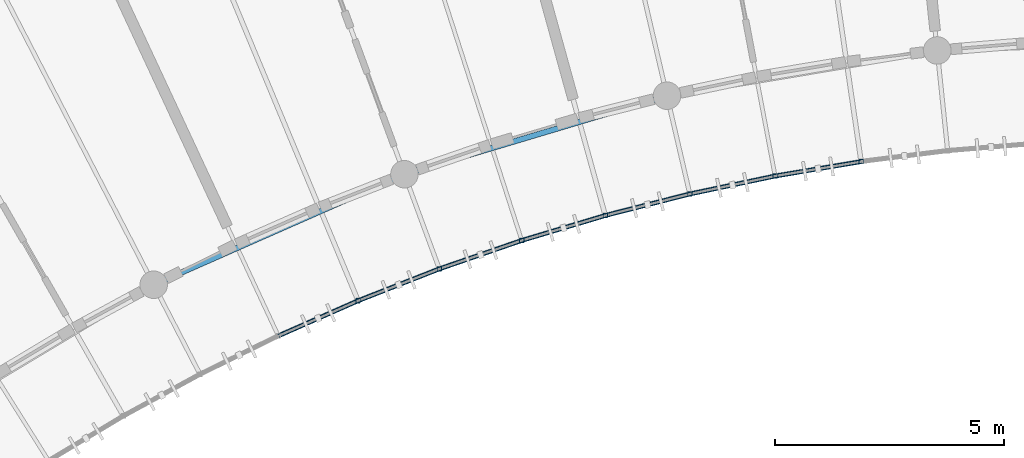
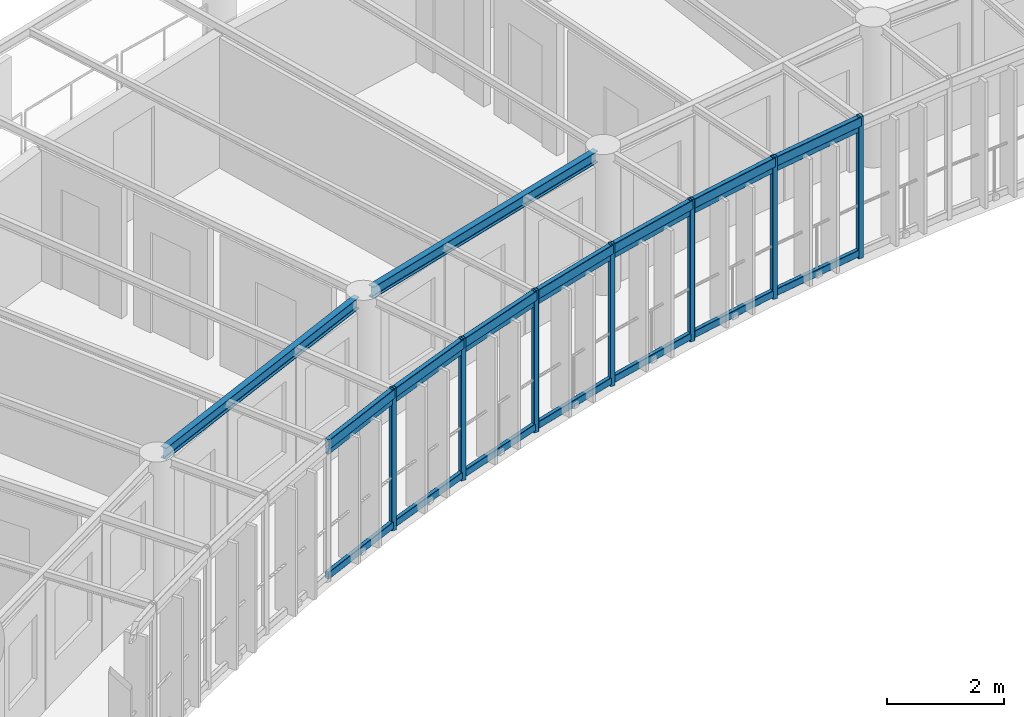
# One storey, part 28 of 101: 21 members, 9 beams.
"""IFC4 building model written with IfcOpenShell, lengths in metres."""

from ifc_helpers import new_model, si_unit, direction, frame, origin, origin_2d, place, context, subcontext, project, spatial, hollow_rectangle, i_section, extrude, material, material_profile, profile_set, type_object, element, save


model = new_model("IFC4")

# Units and contexts
model_context = context("Model", 3, precision=1e-05, world=origin(), true_north=direction((0.0, 1.0)))
body_context = subcontext(model_context, "Body", "Model", "MODEL_VIEW")
ifc_project = project(units=[si_unit("LENGTHUNIT", "METRE"), si_unit("AREAUNIT", "SQUARE_METRE"), si_unit("VOLUMEUNIT", "CUBIC_METRE"), si_unit("PLANEANGLEUNIT", "RADIAN"), si_unit("MASSUNIT", "GRAM", prefix="KILO"), si_unit("POWERUNIT", "WATT"), si_unit("THERMODYNAMICTEMPERATUREUNIT", "KELVIN")], contexts=[model_context])

# Site, building, storey
site_placement = place(None, origin())
site = spatial("IfcSite", under=ifc_project, at=site_placement, CompositionType="ELEMENT")
building_placement = place(site_placement, origin())
building = spatial("IfcBuilding", under=site, at=building_placement, Name="Ruvembo Vaulted Housing Court", CompositionType="ELEMENT")
storey_placement = place(building_placement, frame((0.0, 0.0, 17.300048828125)))
storey = spatial("IfcBuildingStorey", under=building, at=storey_placement, Name="L05", CompositionType="ELEMENT", Elevation=17.300048828125)

# Beams
ifc_material = material(Name="Steel S355J2", Category="steel")
ifc_material_profile_1 = material_profile(ifc_material, i_section(OverallWidth=0.1201171875, OverallDepth=0.239990234375, WebThickness=0.006103515625, FlangeThickness=0.009765625, FilletRadius=0.014892578125, at=origin_2d()), Name="IPE 240")
ifc_profile_set_1 = profile_set([ifc_material_profile_1], Name="Steel S355J2")
beam_type_1 = type_object("IfcBeamType", Name="BM-ST-IPE240", PredefinedType="BEAM", material=ifc_profile_set_1)
for number, where, z_axis, x_axis, name in (
    (1, (95.12060546875, 92.71044921875, 2.81396484375), (0.915067075534, 0.403301682706, 0.0), (-0.403301682706, 0.915067075534, 0.0), "Scoop SC3 L05 Chord Girder F3"),
    (2, (100.594970703125, 95.097412109375, 2.81396484375), (0.958081777403, 0.28649486524, 0.0), (-0.28649486524, 0.958081777403, 0.0), "Scoop SC3 L05 Chord Girder F6"),
):
    element("IfcBeam", number, at=place(storey_placement, frame(where, z_axis=z_axis, x_axis=x_axis)), inside=storey, type_object=beam_type_1, Name=name, PredefinedType="BEAM", context=body_context, shape_type="SweptSolid", body=[
        extrude(i_section(OverallWidth=0.1201171875, OverallDepth=0.239990234375, WebThickness=0.006103515625, FlangeThickness=0.009765625, FilletRadius=0.014892578125, at=origin_2d()), origin(), (0.0, 0.0, 1.0), 5.593505859375),
    ])
ifc_material_profile_2 = material_profile(ifc_material, hollow_rectangle(XDim=0.10009765625, YDim=0.199951171875, WallThickness=0.008056640625, InnerFilletRadius=0.008056640625, OuterFilletRadius=0.01611328125, at=origin_2d()), Name="RHS 200x100x8")
ifc_profile_set_2 = profile_set([ifc_material_profile_2], Name="Steel S355J2")
beam_type_2 = type_object("IfcBeamType", Name="BM-ST-RHS200", PredefinedType="SPANDREL", material=ifc_profile_set_2)
for number, where, z_axis, x_axis, name in (
    (3, (97.663818359375, 91.51806640625, 2.83203125), (0.91507815309, 0.403276547467, 0.0), (-0.403276547467, 0.91507815309, 0.0), "Scoop SC3 L05 Balcony Edge Spandrel 4"),
    (4, (99.4033203125, 92.28466796875, 2.83203125), (0.931005720133, 0.365004587752, 0.0), (-0.365004587752, 0.931005720133, 0.0), "Scoop SC3 L05 Balcony Edge Spandrel 5"),
):
    element("IfcBeam", number, at=place(storey_placement, frame(where, z_axis=z_axis, x_axis=x_axis)), inside=storey, type_object=beam_type_2, Name=name, PredefinedType="SPANDREL", context=body_context, shape_type="SweptSolid", body=[
        extrude(hollow_rectangle(XDim=0.10009765625, YDim=0.199951171875, WallThickness=0.008056640625, InnerFilletRadius=0.008056640625, OuterFilletRadius=0.01611328125, at=origin_2d()), origin(), (0.0, 0.0, 1.0), 1.90087890625),
    ])
beam_1_placement = place(storey_placement, frame((101.173095703125, 92.978515625, 2.83203125), z_axis=(0.945357969834, 0.326034214264, 0.0), x_axis=(-0.326034214264, 0.945357969834, 0.0)))
element("IfcBeam", 5, at=beam_1_placement, inside=storey, type_object=beam_type_2, Name="Scoop SC3 L05 Balcony Edge Spandrel 6", PredefinedType="SPANDREL", context=body_context, shape_type="SweptSolid", body=[
    extrude(hollow_rectangle(XDim=0.10009765625, YDim=0.199951171875, WallThickness=0.008056640625, InnerFilletRadius=0.008056640625, OuterFilletRadius=0.01611328125, at=origin_2d()), origin(), (0.0, 0.0, 1.0), 1.9013671875),
])
for number, where, z_axis, x_axis, name in (
    (6, (102.970458984375, 93.598388671875, 2.83203125), (0.958108609181, 0.286405120439, 0.0), (-0.286405120439, 0.958108609181, 0.0), "Scoop SC3 L05 Balcony Edge Spandrel 7"),
    (7, (104.791748046875, 94.142822265625, 2.83203125), (0.969121730429, 0.246582788553, 0.0), (-0.246582788553, 0.969121730429, 0.0), "Scoop SC3 L05 Balcony Edge Spandrel 8"),
):
    element("IfcBeam", number, at=place(storey_placement, frame(where, z_axis=z_axis, x_axis=x_axis)), inside=storey, type_object=beam_type_2, Name=name, PredefinedType="SPANDREL", context=body_context, shape_type="SweptSolid", body=[
        extrude(hollow_rectangle(XDim=0.10009765625, YDim=0.199951171875, WallThickness=0.008056640625, InnerFilletRadius=0.008056640625, OuterFilletRadius=0.01611328125, at=origin_2d()), origin(), (0.0, 0.0, 1.0), 1.90087890625),
    ])
beam_2_placement = place(storey_placement, frame((106.634033203125, 94.611572265625, 2.83203125), z_axis=(0.978529342624, 0.206107558387, 0.0), x_axis=(-0.206107558387, 0.978529342624, 0.0)))
element("IfcBeam", 8, at=beam_2_placement, inside=storey, type_object=beam_type_2, Name="Scoop SC3 L05 Balcony Edge Spandrel 9", PredefinedType="SPANDREL", context=body_context, shape_type="SweptSolid", body=[
    extrude(hollow_rectangle(XDim=0.10009765625, YDim=0.199951171875, WallThickness=0.008056640625, InnerFilletRadius=0.008056640625, OuterFilletRadius=0.01611328125, at=origin_2d()), origin(), (0.0, 0.0, 1.0), 1.901123046875),
])
beam_3_placement = place(storey_placement, frame((108.494384765625, 95.00341796875, 2.83203125), z_axis=(0.986265186139, 0.165169557153, 0.0), x_axis=(-0.165169557153, 0.986265186139, 0.0)))
element("IfcBeam", 9, at=beam_3_placement, inside=storey, type_object=beam_type_2, Name="Scoop SC3 L05 Balcony Edge Spandrel 10", PredefinedType="SPANDREL", context=body_context, shape_type="SweptSolid", body=[
    extrude(hollow_rectangle(XDim=0.10009765625, YDim=0.199951171875, WallThickness=0.008056640625, InnerFilletRadius=0.008056640625, OuterFilletRadius=0.01611328125, at=origin_2d()), origin(), (0.0, 0.0, 1.0), 1.90087890625),
])

# Members
ifc_material_profile_3 = material_profile(ifc_material, hollow_rectangle(XDim=0.06005859375, YDim=0.1201171875, WallThickness=0.0048828125, InnerFilletRadius=0.0048828125, OuterFilletRadius=0.010009765625, at=origin_2d()), Name="RHS 120x60x5")
ifc_profile_set_3 = profile_set([ifc_material_profile_3], Name="Steel S355J2")
member_type_1 = type_object("IfcMemberType", Name="MEM-CAR-RHS120", PredefinedType="CHORD", material=ifc_profile_set_3)
for number, where, z_axis, x_axis, name in (
    (10, (97.663818359375, 91.51806640625, 2.675048828125), (0.91507815309, 0.403276547467, 0.0), (-0.403276547467, 0.91507815309, 0.0), "Scoop SC3 L05 Upper Louvre Carrier Rail 4"),
    (11, (99.4033203125, 92.28466796875, 2.675048828125), (0.931005720133, 0.365004587752, 0.0), (-0.365004587752, 0.931005720133, 0.0), "Scoop SC3 L05 Upper Louvre Carrier Rail 5"),
):
    element("IfcMember", number, at=place(storey_placement, frame(where, z_axis=z_axis, x_axis=x_axis)), inside=storey, type_object=member_type_1, Name=name, PredefinedType="CHORD", context=body_context, shape_type="SweptSolid", body=[
        extrude(hollow_rectangle(XDim=0.06005859375, YDim=0.1201171875, WallThickness=0.0048828125, InnerFilletRadius=0.0048828125, OuterFilletRadius=0.010009765625, at=origin_2d()), origin(), (0.0, 0.0, 1.0), 1.90087890625),
    ])
member_1_placement = place(storey_placement, frame((101.173095703125, 92.978515625, 2.675048828125), z_axis=(0.945357969834, 0.326034214264, 0.0), x_axis=(-0.326034214264, 0.945357969834, 0.0)))
element("IfcMember", 12, at=member_1_placement, inside=storey, type_object=member_type_1, Name="Scoop SC3 L05 Upper Louvre Carrier Rail 6", PredefinedType="CHORD", context=body_context, shape_type="SweptSolid", body=[
    extrude(hollow_rectangle(XDim=0.06005859375, YDim=0.1201171875, WallThickness=0.0048828125, InnerFilletRadius=0.0048828125, OuterFilletRadius=0.010009765625, at=origin_2d()), origin(), (0.0, 0.0, 1.0), 1.9013671875),
])
for number, where, z_axis, x_axis, name in (
    (13, (102.970458984375, 93.598388671875, 2.675048828125), (0.958108609181, 0.286405120439, 0.0), (-0.286405120439, 0.958108609181, 0.0), "Scoop SC3 L05 Upper Louvre Carrier Rail 7"),
    (14, (104.791748046875, 94.142822265625, 2.675048828125), (0.969121730429, 0.246582788553, 0.0), (-0.246582788553, 0.969121730429, 0.0), "Scoop SC3 L05 Upper Louvre Carrier Rail 8"),
):
    element("IfcMember", number, at=place(storey_placement, frame(where, z_axis=z_axis, x_axis=x_axis)), inside=storey, type_object=member_type_1, Name=name, PredefinedType="CHORD", context=body_context, shape_type="SweptSolid", body=[
        extrude(hollow_rectangle(XDim=0.06005859375, YDim=0.1201171875, WallThickness=0.0048828125, InnerFilletRadius=0.0048828125, OuterFilletRadius=0.010009765625, at=origin_2d()), origin(), (0.0, 0.0, 1.0), 1.90087890625),
    ])
member_2_placement = place(storey_placement, frame((106.634033203125, 94.611572265625, 2.675048828125), z_axis=(0.978529342624, 0.206107558387, 0.0), x_axis=(-0.206107558387, 0.978529342624, 0.0)))
element("IfcMember", 15, at=member_2_placement, inside=storey, type_object=member_type_1, Name="Scoop SC3 L05 Upper Louvre Carrier Rail 9", PredefinedType="CHORD", context=body_context, shape_type="SweptSolid", body=[
    extrude(hollow_rectangle(XDim=0.06005859375, YDim=0.1201171875, WallThickness=0.0048828125, InnerFilletRadius=0.0048828125, OuterFilletRadius=0.010009765625, at=origin_2d()), origin(), (0.0, 0.0, 1.0), 1.901123046875),
])
member_3_placement = place(storey_placement, frame((108.494384765625, 95.00341796875, 2.675048828125), z_axis=(0.986265186139, 0.165169557153, 0.0), x_axis=(-0.165169557153, 0.986265186139, 0.0)))
element("IfcMember", 16, at=member_3_placement, inside=storey, type_object=member_type_1, Name="Scoop SC3 L05 Upper Louvre Carrier Rail 10", PredefinedType="CHORD", context=body_context, shape_type="SweptSolid", body=[
    extrude(hollow_rectangle(XDim=0.06005859375, YDim=0.1201171875, WallThickness=0.0048828125, InnerFilletRadius=0.0048828125, OuterFilletRadius=0.010009765625, at=origin_2d()), origin(), (0.0, 0.0, 1.0), 1.90087890625),
])
ifc_material_profile_4 = material_profile(ifc_material, hollow_rectangle(XDim=0.080078125, YDim=0.14990234375, WallThickness=0.00634765625, InnerFilletRadius=0.00634765625, OuterFilletRadius=0.0126953125, at=origin_2d()), Name="RHS 150x80x6.3")
ifc_profile_set_4 = profile_set([ifc_material_profile_4], Name="Steel S355J2")
member_type_2 = type_object("IfcMemberType", Name="MEM-CAR-RHS150", PredefinedType="CHORD", material=ifc_profile_set_4)
for number, where, z_axis, x_axis, name in (
    (17, (97.663818359375, 91.51806640625, 0.094970703125), (0.91507815309, 0.403276547467, 0.0), (-0.403276547467, 0.91507815309, 0.0), "Scoop SC3 L05 Lower Louvre Carrier Rail 4"),
    (18, (99.4033203125, 92.28466796875, 0.094970703125), (0.931005720133, 0.365004587752, 0.0), (-0.365004587752, 0.931005720133, 0.0), "Scoop SC3 L05 Lower Louvre Carrier Rail 5"),
):
    element("IfcMember", number, at=place(storey_placement, frame(where, z_axis=z_axis, x_axis=x_axis)), inside=storey, type_object=member_type_2, Name=name, PredefinedType="CHORD", context=body_context, shape_type="SweptSolid", body=[
        extrude(hollow_rectangle(XDim=0.080078125, YDim=0.14990234375, WallThickness=0.00634765625, InnerFilletRadius=0.00634765625, OuterFilletRadius=0.0126953125, at=origin_2d()), origin(), (0.0, 0.0, 1.0), 1.90087890625),
    ])
member_4_placement = place(storey_placement, frame((101.173095703125, 92.978515625, 0.094970703125), z_axis=(0.945357969834, 0.326034214264, 0.0), x_axis=(-0.326034214264, 0.945357969834, 0.0)))
element("IfcMember", 19, at=member_4_placement, inside=storey, type_object=member_type_2, Name="Scoop SC3 L05 Lower Louvre Carrier Rail 6", PredefinedType="CHORD", context=body_context, shape_type="SweptSolid", body=[
    extrude(hollow_rectangle(XDim=0.080078125, YDim=0.14990234375, WallThickness=0.00634765625, InnerFilletRadius=0.00634765625, OuterFilletRadius=0.0126953125, at=origin_2d()), origin(), (0.0, 0.0, 1.0), 1.9013671875),
])
for number, where, z_axis, x_axis, name in (
    (20, (102.970458984375, 93.598388671875, 0.094970703125), (0.958108609181, 0.286405120439, 0.0), (-0.286405120439, 0.958108609181, 0.0), "Scoop SC3 L05 Lower Louvre Carrier Rail 7"),
    (21, (104.791748046875, 94.142822265625, 0.094970703125), (0.969121730429, 0.246582788553, 0.0), (-0.246582788553, 0.969121730429, 0.0), "Scoop SC3 L05 Lower Louvre Carrier Rail 8"),
):
    element("IfcMember", number, at=place(storey_placement, frame(where, z_axis=z_axis, x_axis=x_axis)), inside=storey, type_object=member_type_2, Name=name, PredefinedType="CHORD", context=body_context, shape_type="SweptSolid", body=[
        extrude(hollow_rectangle(XDim=0.080078125, YDim=0.14990234375, WallThickness=0.00634765625, InnerFilletRadius=0.00634765625, OuterFilletRadius=0.0126953125, at=origin_2d()), origin(), (0.0, 0.0, 1.0), 1.90087890625),
    ])
member_5_placement = place(storey_placement, frame((106.634033203125, 94.611572265625, 0.094970703125), z_axis=(0.978529342624, 0.206107558387, 0.0), x_axis=(-0.206107558387, 0.978529342624, 0.0)))
element("IfcMember", 22, at=member_5_placement, inside=storey, type_object=member_type_2, Name="Scoop SC3 L05 Lower Louvre Carrier Rail 9", PredefinedType="CHORD", context=body_context, shape_type="SweptSolid", body=[
    extrude(hollow_rectangle(XDim=0.080078125, YDim=0.14990234375, WallThickness=0.00634765625, InnerFilletRadius=0.00634765625, OuterFilletRadius=0.0126953125, at=origin_2d()), origin(), (0.0, 0.0, 1.0), 1.901123046875),
])
member_6_placement = place(storey_placement, frame((108.494384765625, 95.00341796875, 0.094970703125), z_axis=(0.986265186139, 0.165169557153, 0.0), x_axis=(-0.165169557153, 0.986265186139, 0.0)))
element("IfcMember", 23, at=member_6_placement, inside=storey, type_object=member_type_2, Name="Scoop SC3 L05 Lower Louvre Carrier Rail 10", PredefinedType="CHORD", context=body_context, shape_type="SweptSolid", body=[
    extrude(hollow_rectangle(XDim=0.080078125, YDim=0.14990234375, WallThickness=0.00634765625, InnerFilletRadius=0.00634765625, OuterFilletRadius=0.0126953125, at=origin_2d()), origin(), (0.0, 0.0, 1.0), 1.90087890625),
])
ifc_material_profile_5 = material_profile(ifc_material, hollow_rectangle(XDim=0.10009765625, YDim=0.10009765625, WallThickness=0.00634765625, InnerFilletRadius=0.00634765625, OuterFilletRadius=0.0126953125, at=origin_2d()), Name="SHS 100x100x6.3")
ifc_profile_set_5 = profile_set([ifc_material_profile_5], Name="Steel S355J2")
member_type_3 = type_object("IfcMemberType", Name="MEM-FRM-SHS100", PredefinedType="STRUT", material=ifc_profile_set_5)
for number, where, z_axis, x_axis, name in (
    (24, (99.4033203125, 92.28466796875, -0.01513671875), (0.0, 0.0, 1.0), (1.0, 0.0, 0.0), "Scoop SC3 L05 Louvre Frame Post 5"),
    (25, (101.173095703125, 92.978515625, -0.01513671875), (0.0, 0.0, 1.0), (1.0, 0.0, 0.0), "Scoop SC3 L05 Louvre Frame Post 6"),
    (26, (102.970458984375, 93.598388671875, -0.01513671875), (0.0, 0.0, 1.0), (1.0, 0.0, 0.0), "Scoop SC3 L05 Louvre Frame Post 7"),
    (27, (104.791748046875, 94.142822265625, -0.01513671875), (0.0, 0.0, 1.0), (1.0, 0.0, 0.0), "Scoop SC3 L05 Louvre Frame Post 8"),
    (28, (106.634033203125, 94.611572265625, -0.01513671875), (0.0, 0.0, 1.0), (1.0, 0.0, 0.0), "Scoop SC3 L05 Louvre Frame Post 9"),
    (29, (108.494384765625, 95.00341796875, -0.01513671875), (0.0, 0.0, 1.0), (1.0, 0.0, 0.0), "Scoop SC3 L05 Louvre Frame Post 10"),
    (30, (110.369140625, 95.3173828125, -0.01513671875), (0.0, 0.0, 1.0), (1.0, 0.0, 0.0), "Scoop SC3 L05 Louvre Frame Post 11"),
):
    element("IfcMember", number, at=place(storey_placement, frame(where, z_axis=z_axis, x_axis=x_axis)), inside=storey, type_object=member_type_3, Name=name, PredefinedType="STRUT", context=body_context, shape_type="SweptSolid", body=[
        extrude(hollow_rectangle(XDim=0.10009765625, YDim=0.10009765625, WallThickness=0.00634765625, InnerFilletRadius=0.00634765625, OuterFilletRadius=0.0126953125, at=origin_2d()), origin(), (0.0, 0.0, 1.0), 2.953125),
    ])

save(model, "model.ifc")
